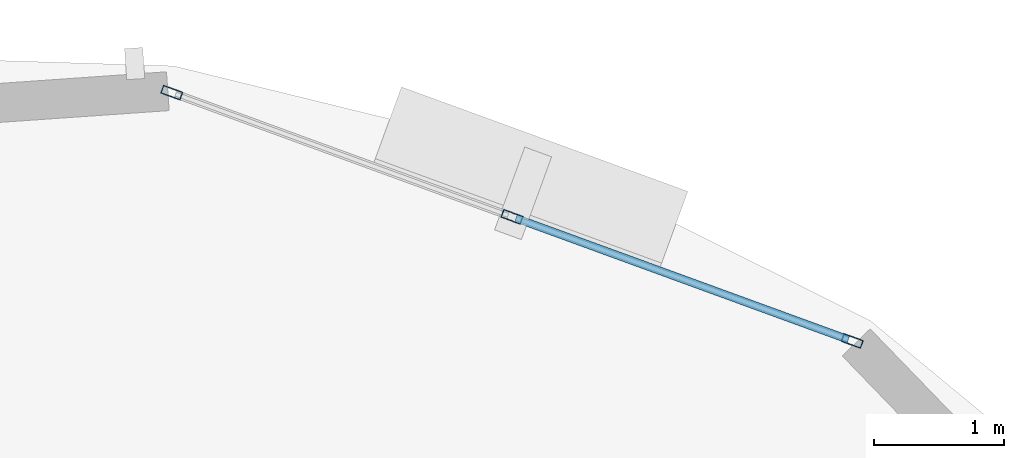
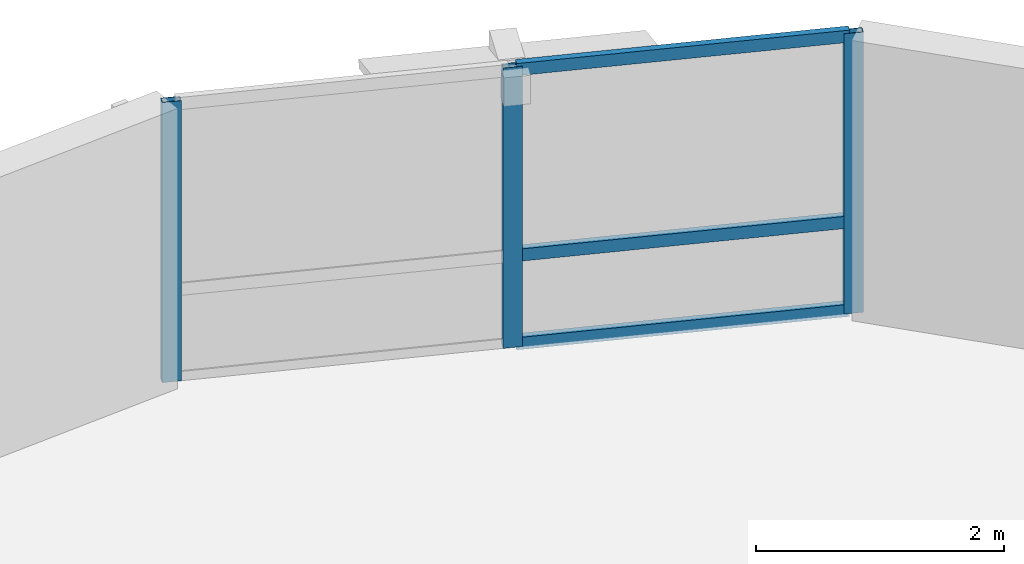
# One storey, part 5 of 11: 6 members, 1 element without a shape of its own.
"""IFC4 building model written with IfcOpenShell, lengths in metres."""

from ifc_helpers import new_model, si_unit, direction, frame, origin, origin_2d, place, context, subcontext, project, spatial, hollow_rectangle, extrude, material, layer, layer_set, material_profile, profile_set, type_object, element, aggregate, save


model = new_model("IFC4")

# Units and contexts
model_context = context("Model", 3, precision=1e-05, world=origin(), true_north=direction((0.0, 1.0)))
body_context = subcontext(model_context, "Body", "Model", "MODEL_VIEW")
ifc_project = project(units=[si_unit("LENGTHUNIT", "METRE"), si_unit("AREAUNIT", "SQUARE_METRE"), si_unit("VOLUMEUNIT", "CUBIC_METRE"), si_unit("PLANEANGLEUNIT", "RADIAN"), si_unit("MASSUNIT", "GRAM", prefix="KILO"), si_unit("THERMODYNAMICTEMPERATUREUNIT", "KELVIN"), si_unit("POWERUNIT", "WATT")], contexts=[model_context])

# Site, building, storey
site_placement = place(None, origin())
site = spatial("IfcSite", under=ifc_project, at=site_placement, CompositionType="ELEMENT")
building_placement = place(site_placement, origin())
building = spatial("IfcBuilding", under=site, at=building_placement, Name="Ocrelia Relay Tower", CompositionType="ELEMENT")
storey_placement = place(building_placement, frame((0.0, 0.0, 266.39990234375)))
storey = spatial("IfcBuildingStorey", under=building, at=storey_placement, Name="L66", CompositionType="ELEMENT", Elevation=266.39990234375)

# Curtain wall, members
ifc_material_1 = material(Name="Aluminium and solar-control low-E glass", Category="aluminium")
ifc_layer = layer(ifc_material_1, 0.179931640625, Name="Aluminium and solar-control low-E glass")
ifc_layer_set = layer_set([ifc_layer], Name="Aluminium and solar-control low-E glass")
curtain_wall_type = type_object("IfcCurtainWallType", Name="CW-SYS-Z4-EXEC", PredefinedType="NOTDEFINED", material=ifc_layer_set)
curtain_wall_placement = place(storey_placement, origin())
curtain_wall = element("IfcCurtainWall", 1, at=curtain_wall_placement, inside=storey, type_object=curtain_wall_type, Name="L66 Elliptical Tower Curtain Wall Bay 01", PredefinedType="NOTDEFINED")
ifc_material_2 = material(Name="Anodised bronze aluminium", Category="aluminium")
ifc_material_profile_1 = material_profile(ifc_material_2, hollow_rectangle(XDim=0.06494140625, YDim=0.159912109375, WallThickness=0.0048828125, at=origin_2d()), Name="CW-MUL-160x65")
ifc_profile_set_1 = profile_set([ifc_material_profile_1], Name="Anodised bronze aluminium")
member_type_1 = type_object("IfcMemberType", Name="CW-SYS-Z4-EXEC-MUL", PredefinedType="MULLION", material=ifc_profile_set_1)
member_1_placement = place(storey_placement, frame((45.406982421875, 43.623291015625, 0.0), z_axis=(0.0, 0.0, 1.0), x_axis=(-0.342798674659, -0.939408893215, 0.0)))
member_1 = element("IfcMember", 2, at=member_1_placement, type_object=member_type_1, Name="CW-Z4 mullion 1", PredefinedType="MULLION", context=body_context, shape_type="SweptSolid", body=[
    extrude(hollow_rectangle(XDim=0.06494140625, YDim=0.159912109375, WallThickness=0.0048828125, at=origin_2d()), origin(), (0.0, 0.0, 1.0), 2.760009765625),
])
member_2_placement = place(storey_placement, frame((42.783447265625, 44.58056640625, 0.0), z_axis=(0.0, 0.0, 1.0), x_axis=(-0.342798674659, -0.939408893215, 0.0)))
member_2 = element("IfcMember", 3, at=member_2_placement, type_object=member_type_1, Name="CW-Z4 mullion 2", PredefinedType="MULLION", context=body_context, shape_type="SweptSolid", body=[
    extrude(hollow_rectangle(XDim=0.06494140625, YDim=0.159912109375, WallThickness=0.0048828125, at=origin_2d()), origin(), (0.0, 0.0, 1.0), 2.760009765625),
])
member_3_placement = place(storey_placement, frame((40.159912109375, 45.537841796875, 0.0), z_axis=(0.0, 0.0, 1.0), x_axis=(-0.342798674659, -0.939408893215, 0.0)))
member_3 = element("IfcMember", 4, at=member_3_placement, type_object=member_type_1, Name="CW-Z4 mullion 3", PredefinedType="MULLION", context=body_context, shape_type="SweptSolid", body=[
    extrude(hollow_rectangle(XDim=0.06494140625, YDim=0.159912109375, WallThickness=0.0048828125, at=origin_2d()), origin(), (0.0, 0.0, 1.0), 2.760009765625),
])
ifc_material_profile_2 = material_profile(ifc_material_2, hollow_rectangle(XDim=0.06005859375, YDim=0.1201171875, WallThickness=0.0048828125, at=origin_2d()), Name="CW-TRN-120x60")
ifc_profile_set_2 = profile_set([ifc_material_profile_2], Name="Anodised bronze aluminium")
member_type_2 = type_object("IfcMemberType", Name="CW-SYS-Z4-EXEC-TRN", PredefinedType="USERDEFINED", material=ifc_profile_set_2)
member_4_placement = place(storey_placement, frame((45.376220703125, 43.63427734375, 0.030029296875), z_axis=(-0.939400793365, 0.342820870756, 0.0), x_axis=(-0.342820870756, -0.939400793365, 0.0)))
member_4 = element("IfcMember", 5, at=member_4_placement, type_object=member_type_2, Name="CW-Z4 transom 1.1", ObjectType="TRANSOM", PredefinedType="USERDEFINED", context=body_context, shape_type="SweptSolid", body=[
    extrude(hollow_rectangle(XDim=0.06005859375, YDim=0.1201171875, WallThickness=0.0048828125, at=origin_2d()), origin(), (0.0, 0.0, 1.0), 2.7275390625),
])
member_5_placement = place(storey_placement, frame((45.376220703125, 43.63427734375, 0.900146484375), z_axis=(-0.939400793365, 0.342820870756, 0.0), x_axis=(-0.342820870756, -0.939400793365, 0.0)))
member_5 = element("IfcMember", 6, at=member_5_placement, type_object=member_type_2, Name="CW-Z4 transom 1.2", ObjectType="TRANSOM", PredefinedType="USERDEFINED", context=body_context, shape_type="SweptSolid", body=[
    extrude(hollow_rectangle(XDim=0.06005859375, YDim=0.1201171875, WallThickness=0.0048828125, at=origin_2d()), origin(), (0.0, 0.0, 1.0), 2.7275390625),
])
member_6_placement = place(storey_placement, frame((45.376220703125, 43.63427734375, 2.72998046875), z_axis=(-0.939400793365, 0.342820870756, 0.0), x_axis=(-0.342820870756, -0.939400793365, 0.0)))
member_6 = element("IfcMember", 7, at=member_6_placement, type_object=member_type_2, Name="CW-Z4 transom 1.3", ObjectType="TRANSOM", PredefinedType="USERDEFINED", context=body_context, shape_type="SweptSolid", body=[
    extrude(hollow_rectangle(XDim=0.06005859375, YDim=0.1201171875, WallThickness=0.0048828125, at=origin_2d()), origin(), (0.0, 0.0, 1.0), 2.7275390625),
])
aggregate(curtain_wall, [member_1, member_2, member_3, member_4, member_5, member_6])

save(model, "model.ifc")
